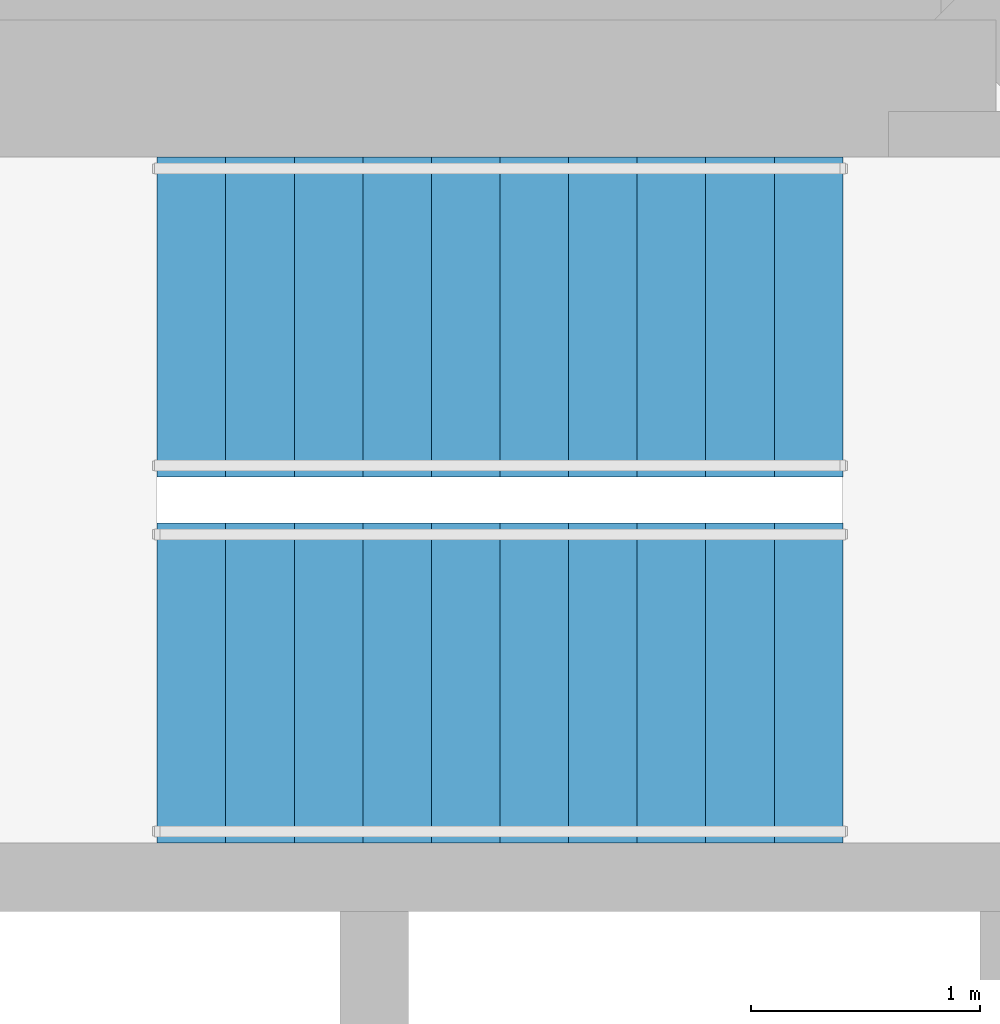
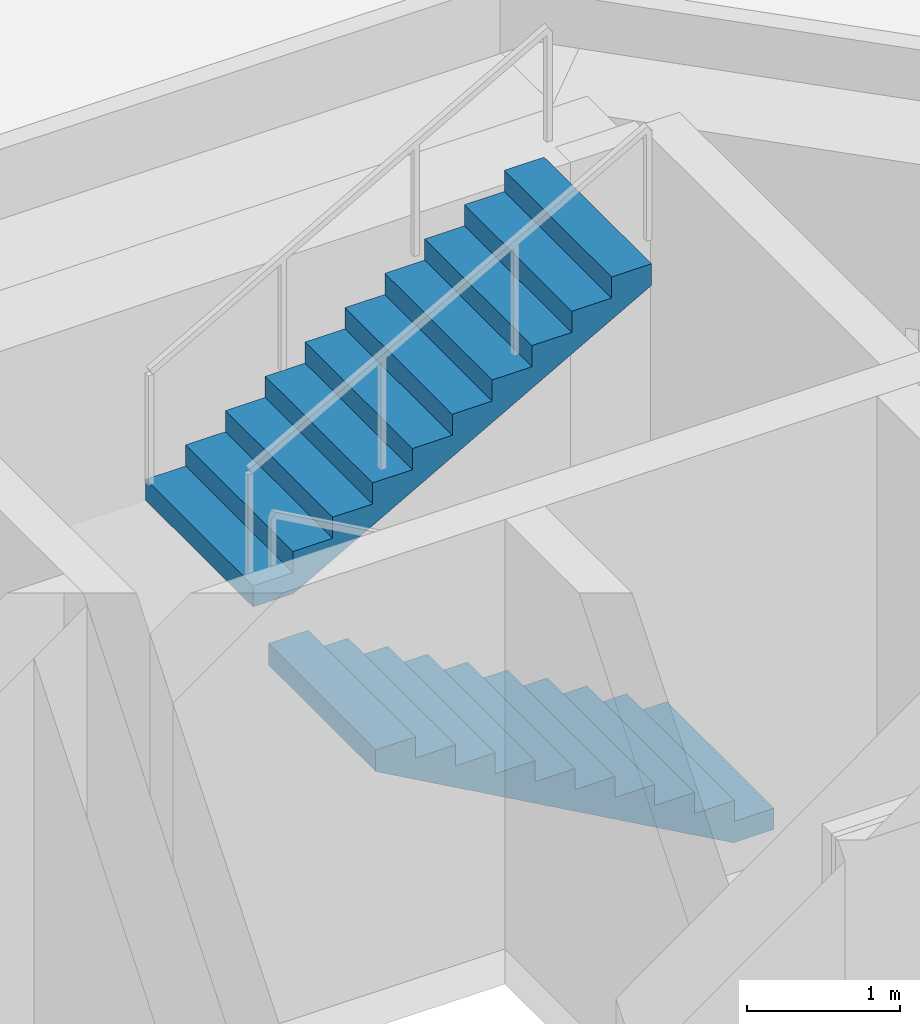
# One storey, part 7 of 9: 2 stair flights, 1 element without a shape of its own.
"""IFC4 building model written with IfcOpenShell, lengths in metres."""

from ifc_helpers import new_model, si_unit, direction, frame, origin, place, context, subcontext, project, spatial, polyline, outline, extrude, material, type_object, element, aggregate, save


model = new_model("IFC4")

# Units and contexts
model_context = context("Model", 3, precision=1e-05, world=origin(), true_north=direction((0.0, 1.0)))
body_context = subcontext(model_context, "Body", "Model", "MODEL_VIEW")
ifc_project = project(units=[si_unit("LENGTHUNIT", "METRE"), si_unit("AREAUNIT", "SQUARE_METRE"), si_unit("VOLUMEUNIT", "CUBIC_METRE"), si_unit("PLANEANGLEUNIT", "RADIAN"), si_unit("MASSUNIT", "GRAM", prefix="KILO")], contexts=[model_context])

# Site, building, storey
site_placement = place(None, origin())
site = spatial("IfcSite", under=ifc_project, at=site_placement, CompositionType="ELEMENT")
building_placement = place(site_placement, origin())
building = spatial("IfcBuilding", under=site, at=building_placement, Name="Torre Triforio", CompositionType="ELEMENT")
storey_placement = place(building_placement, frame((0.0, 0.0, 215.0)))
storey = spatial("IfcBuildingStorey", under=building, at=storey_placement, Name="L49", CompositionType="ELEMENT", Elevation=215.0)

# Stair, stair flights
ifc_material = material(Name="Concrete C40", Category="concrete")
stair_type = type_object("IfcStairType", Name="STAIR HALF-TURN", PredefinedType="HALF_TURN_STAIR", material=ifc_material)
stair_placement = place(storey_placement, origin())
stair = element("IfcStair", 1, at=stair_placement, inside=storey, type_object=stair_type, Name="Exit stair 2", PredefinedType="HALF_TURN_STAIR")
stair_flight_type = type_object("IfcStairFlightType", Name="STAIR FLIGHT 1400", PredefinedType="STRAIGHT", material=ifc_material)
stair_flight_1_placement = place(storey_placement, frame((6.699951171875, 5.199951171875, 0.0), z_axis=(0.0, 0.0, 1.0), x_axis=(-1.0, 0.0, 0.0)))
stair_flight_1 = element("IfcStairFlight", 2, at=stair_flight_1_placement, type_object=stair_flight_type, Name="ST2 flight 1", NumberOfRisers=11, NumberOfTreads=10, PredefinedType="STRAIGHT", RiserHeight=0.168181818, TreadLength=0.3, context=body_context, shape_type="SweptSolid", body=[
    extrude(outline(polyline([(0.0, 0.0), (0.0, 0.168212890625), (0.300048828125, 0.168212890625), (0.300048828125, 0.33642578125), (0.60009765625, 0.33642578125), (0.60009765625, 0.504638671875), (0.89990234375, 0.504638671875), (0.89990234375, 0.672607421875), (1.199951171875, 0.672607421875), (1.199951171875, 0.8408203125), (1.5, 0.8408203125), (1.5, 1.009033203125), (1.800048828125, 1.009033203125), (1.800048828125, 1.17724609375), (2.10009765625, 1.17724609375), (2.10009765625, 1.345458984375), (2.39990234375, 1.345458984375), (2.39990234375, 1.513671875), (2.699951171875, 1.513671875), (2.699951171875, 1.681884765625), (3.0, 1.681884765625), (3.0, 1.85009765625), (3.0, 1.510009765625), (0.306640625, 0.0), (0.0, 0.0)])), frame((0.0, 0.699951171875, 0.0), z_axis=(0.0, -1.0, 0.0), x_axis=(1.0, 0.0, 0.0)), (0.0, 0.0, 1.0), 1.39990234375),
])
stair_flight_2_placement = place(storey_placement, frame((3.699951171875, 6.800048828125, 1.85009765625), z_axis=(0.0, 0.0, 1.0), x_axis=(1.0, 0.0, 0.0)))
stair_flight_2 = element("IfcStairFlight", 3, at=stair_flight_2_placement, type_object=stair_flight_type, Name="ST2 flight 2", NumberOfRisers=11, NumberOfTreads=10, PredefinedType="STRAIGHT", RiserHeight=0.168181818, TreadLength=0.3, context=body_context, shape_type="SweptSolid", body=[
    extrude(outline(polyline([(0.0, 0.0), (0.0, 0.168212890625), (0.300048828125, 0.168212890625), (0.300048828125, 0.33642578125), (0.60009765625, 0.33642578125), (0.60009765625, 0.504638671875), (0.89990234375, 0.504638671875), (0.89990234375, 0.672607421875), (1.199951171875, 0.672607421875), (1.199951171875, 0.8408203125), (1.5, 0.8408203125), (1.5, 1.009033203125), (1.800048828125, 1.009033203125), (1.800048828125, 1.17724609375), (2.10009765625, 1.17724609375), (2.10009765625, 1.345458984375), (2.39990234375, 1.345458984375), (2.39990234375, 1.513671875), (2.699951171875, 1.513671875), (2.699951171875, 1.681884765625), (3.0, 1.681884765625), (3.0, 1.85009765625), (3.0, 1.510009765625), (0.306640625, 0.0), (0.0, 0.0)])), frame((0.0, 0.699951171875, 0.0), z_axis=(0.0, -1.0, 0.0), x_axis=(1.0, 0.0, 0.0)), (0.0, 0.0, 1.0), 1.39990234375),
])
aggregate(stair, [stair_flight_1, stair_flight_2])

save(model, "model.ifc")
